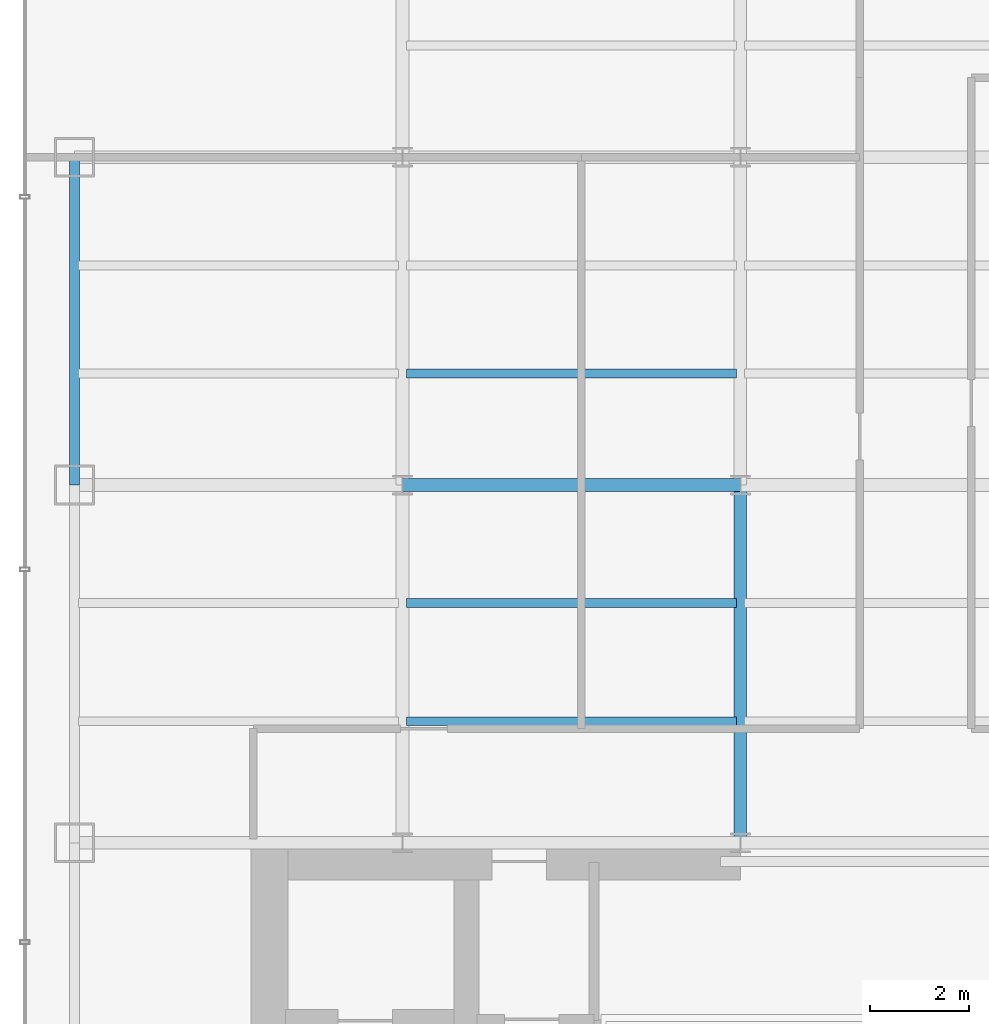
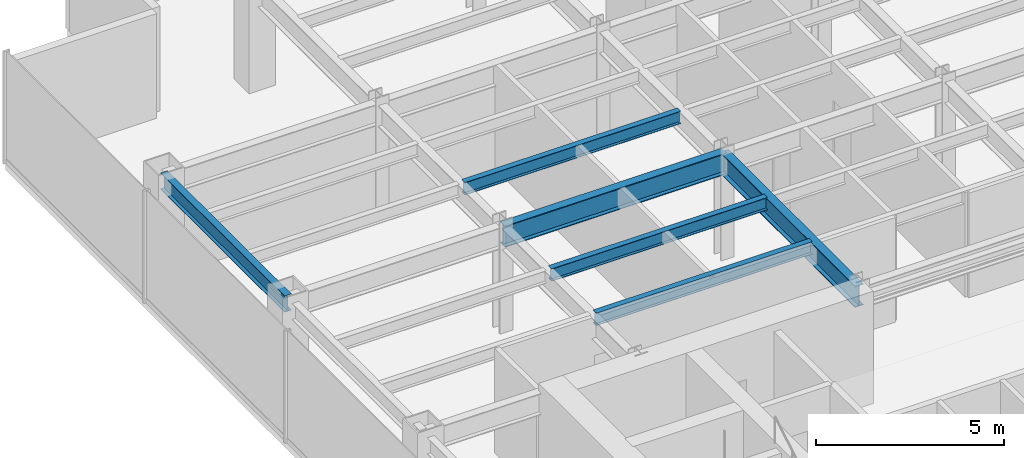
# One storey, part 5 of 26: 6 beams.
"""IFC4 building model written with IfcOpenShell, lengths in metres."""

import ifcopenshell
import ifcopenshell.guid

model = None  # the IFC model being written
_history = None  # IfcOwnerHistory: only IFC2X3 demands one
_inside = {}  # id of a spatial element -> (the spatial element, [elements in it])
_under = {}  # id of a project, library or spatial element -> (it, [spatial elements below it])
_declared = {}  # id of a project -> (the project, [libraries it declares])
_typed = {}  # id of a type object -> (the type object, [elements of that type])
_made_of = {}  # id of a material, layer set ... -> (it, [elements and type objects made of it])


def new_model(schema):
    """Start an empty IFC model of exactly this schema.

    Asked for "IFC4X3", IfcOpenShell would pick the latest addendum, in which some entities
    have other attributes; the version numbers below select the first issue.
    IFC2X3 requires an IfcOwnerHistory on every rooted entity: one is made here for all.
    """
    global model, _history
    if schema == "IFC4X3":
        model = ifcopenshell.file(schema_version=(4, 3, 0, 0))
    else:
        model = ifcopenshell.file(schema=schema)
    _inside.clear()
    _under.clear()
    _declared.clear()
    _typed.clear()
    _made_of.clear()
    _history = None
    if model.schema == "IFC2X3":
        org = make("IfcOrganization", Name="unknown")
        user = make(
            "IfcPersonAndOrganization",
            ThePerson=make("IfcPerson", FamilyName="unknown"),
            TheOrganization=org,
        )
        app = make(
            "IfcApplication",
            ApplicationDeveloper=org,
            Version="unknown",
            ApplicationFullName="unknown",
            ApplicationIdentifier="unknown",
        )
        _history = make(
            "IfcOwnerHistory",
            OwningUser=user,
            OwningApplication=app,
            ChangeAction="ADDED",
            CreationDate=0,
        )
    return model


def make(cls, **values):
    """One entity of the class cls with the attributes given. An attribute that is None is left unset."""
    return model.create_entity(
        cls, **{name: value for name, value in values.items() if value is not None}
    )


def rooted(cls, **values):
    """An entity with a GlobalId (a new one), such as an element, a storey or a relation."""
    return make(cls, GlobalId=ifcopenshell.guid.new(), OwnerHistory=_history, **values)


def si_unit(unit_type, name, prefix=None):
    """IfcSIUnit, for example si_unit("LENGTHUNIT", "METRE", prefix="MILLI")."""
    return make("IfcSIUnit", UnitType=unit_type, Prefix=prefix, Name=name)


def derived_unit(unit_type, elements):
    """IfcDerivedUnit: a product of units, each with its exponent."""
    return make(
        "IfcDerivedUnit",
        Elements=[
            make("IfcDerivedUnitElement", Unit=unit, Exponent=power)
            for unit, power in elements
        ],
        UnitType=unit_type,
    )


def assignment(units):
    """IfcUnitAssignment: the units of a project."""
    return None if units is None else make("IfcUnitAssignment", Units=units)


def point(xyz):
    """IfcCartesianPoint."""
    return None if xyz is None else make("IfcCartesianPoint", Coordinates=xyz)


def direction(xyz):
    """IfcDirection."""
    return None if xyz is None else make("IfcDirection", DirectionRatios=xyz)


def frame(location, z_axis=None, x_axis=None):
    """IfcAxis2Placement3D, a coordinate frame: its origin and axes. An axis left out is left unset."""
    return make(
        "IfcAxis2Placement3D",
        Location=point(location),
        Axis=direction(z_axis),
        RefDirection=direction(x_axis),
    )


def frame_2d(location, x_axis=None):
    """IfcAxis2Placement2D, a coordinate frame in the plane: its origin and x axis."""
    return make(
        "IfcAxis2Placement2D", Location=point(location), RefDirection=direction(x_axis)
    )


def origin():
    """The frame at (0, 0, 0) with its axes left unset."""
    return frame((0.0, 0.0, 0.0))


def origin_2d():
    """The frame at (0, 0) in the plane with its x axis left unset."""
    return frame_2d((0.0, 0.0))


def place(relative_to, where):
    """IfcLocalPlacement: puts the frame where relative to a parent placement (None: the world)."""
    return make(
        "IfcLocalPlacement", PlacementRelTo=relative_to, RelativePlacement=where
    )


def context(
    kind, dimensions, precision=None, world=None, true_north=None, identifier=None
):
    """IfcGeometricRepresentationContext, for example the 3D "Model" context."""
    return make(
        "IfcGeometricRepresentationContext",
        ContextIdentifier=identifier,
        ContextType=kind,
        CoordinateSpaceDimension=dimensions,
        Precision=precision,
        WorldCoordinateSystem=world,
        TrueNorth=true_north,
    )


def subcontext(parent, identifier, kind, view, scale=None):
    """IfcGeometricRepresentationSubContext, for example "Body" below "Model"."""
    return make(
        "IfcGeometricRepresentationSubContext",
        ContextIdentifier=identifier,
        ContextType=kind,
        ParentContext=parent,
        TargetScale=scale,
        TargetView=view,
    )


def project(units=None, contexts=None):
    """IfcProject with its units and contexts."""
    return rooted(
        "IfcProject",
        Name="project",
        RepresentationContexts=contexts,
        UnitsInContext=assignment(units),
    )


def spatial(cls, under=None, at=None, **own):
    """A site, building, storey or space (cls), placed at a placement, below another one or the project."""
    s = rooted(cls, ObjectPlacement=at, **own)
    if under is not None:
        _under.setdefault(under.id(), (under, []))[1].append(s)
    return s


def profile(cls, at=None, kind="AREA", **sizes):
    """A parametric profile (cls). Its sizes go by their IFC names, for example OverallWidth=200.0."""
    return make(cls, ProfileType=kind, Position=at, **sizes)


def i_section(**sizes):
    """IfcIShapeProfileDef."""
    return profile("IfcIShapeProfileDef", **sizes)


def extrude(swept, where, along, depth):
    """IfcExtrudedAreaSolid: the profile swept, set in the frame where, extruded along a direction by depth."""
    return make(
        "IfcExtrudedAreaSolid",
        SweptArea=swept,
        Position=where,
        ExtrudedDirection=direction(along),
        Depth=depth,
    )


def shape(context_of_items, identifier, shape_type, items):
    """IfcShapeRepresentation: the items that make up one representation, for example the "Body"."""
    return make(
        "IfcShapeRepresentation",
        ContextOfItems=context_of_items,
        RepresentationIdentifier=identifier,
        RepresentationType=shape_type,
        Items=items,
    )


def source(mapping_origin, context_of_items, identifier, shape_type, items):
    """IfcRepresentationMap: a shape defined once, which mapped items show again and again."""
    return make(
        "IfcRepresentationMap",
        MappingOrigin=mapping_origin,
        MappedRepresentation=shape(context_of_items, identifier, shape_type, items),
    )


def transform(
    local_origin,
    x_axis=None,
    y_axis=None,
    z_axis=None,
    scale=None,
    scale2=None,
    scale3=None,
    uniform=True,
):
    """IfcCartesianTransformationOperator3D, or its non-uniform kind. x_axis, y_axis, z_axis: its Axis1, 2, 3."""
    if uniform:
        return make(
            "IfcCartesianTransformationOperator3D",
            Axis1=direction(x_axis),
            Axis2=direction(y_axis),
            LocalOrigin=point(local_origin),
            Scale=scale,
            Axis3=direction(z_axis),
        )
    return make(
        "IfcCartesianTransformationOperator3DnonUniform",
        Axis1=direction(x_axis),
        Axis2=direction(y_axis),
        LocalOrigin=point(local_origin),
        Scale=scale,
        Axis3=direction(z_axis),
        Scale2=scale2,
        Scale3=scale3,
    )


def mapped(mapping_source, mapping_target):
    """IfcMappedItem: shows the shape of a source again, moved by a transform."""
    return make(
        "IfcMappedItem", MappingSource=mapping_source, MappingTarget=mapping_target
    )


def material(Name=None, Category=None):
    """IfcMaterial."""
    return make("IfcMaterial", Name=Name, Category=Category)


def material_profile(
    of_material, cross_section, Name=None, Category=None, Priority=None
):
    """IfcMaterialProfile: a cross section and its material."""
    return make(
        "IfcMaterialProfile",
        Name=Name,
        Material=of_material,
        Profile=cross_section,
        Priority=Priority,
        Category=Category,
    )


def profile_set(profiles, Name=None, composite=None):
    """IfcMaterialProfileSet."""
    return make(
        "IfcMaterialProfileSet",
        Name=Name,
        MaterialProfiles=profiles,
        CompositeProfile=composite,
    )


def made_of(thing, what):
    """Note that an element or type object is made of a material, layer set ...; save() writes the relation."""
    if what is not None:
        _made_of.setdefault(what.id(), (what, []))[1].append(thing)
    return thing


def type_object(cls, material=None, **own):
    """A type object (cls), such as IfcWallType, which elements share."""
    return made_of(rooted(cls, **own), material)


def element(
    cls,
    number,
    at=None,
    inside=None,
    cuts=None,
    type_object=None,
    material=None,
    context=None,
    identifier="Body",
    shape_type=None,
    held_by="IfcProductDefinitionShape",
    body=None,
    shapes=None,
    **own,
):
    """One element of the class cls, such as IfcWall. Its Tag is "e" and its number.

    at: its placement. inside: the storey or other place that contains it. cuts: it is an
    opening in that element (IfcRelVoidsElement). A single representation is given by context,
    identifier, shape_type and body (its items); several are given by shapes. held_by: the class
    of the entity that holds the representations. save() writes the other relations.
    """
    e = rooted(cls, Tag="e%d" % number, ObjectPlacement=at, **own)
    if body is not None:
        shapes = [shape(context, identifier, shape_type, body)]
    if shapes is not None:
        e.Representation = make(held_by, Representations=shapes)
    if inside is not None:
        _inside.setdefault(inside.id(), (inside, []))[1].append(e)
    if cuts is not None:
        rooted(
            "IfcRelVoidsElement", RelatingBuildingElement=cuts, RelatedOpeningElement=e
        )
    if type_object is not None:
        _typed.setdefault(type_object.id(), (type_object, []))[1].append(e)
    return made_of(e, material)


def aggregate(whole, parts):
    """IfcRelAggregates: a whole, such as a stair, and the parts it consists of."""
    return rooted("IfcRelAggregates", RelatingObject=whole, RelatedObjects=parts)


def save(model, path):
    """Write the relations noted so far, then the file.

    IfcRelAggregates (storeys below a building ...), IfcRelContainedInSpatialStructure (elements
    in a storey), IfcRelDefinesByType, IfcRelAssociatesMaterial and IfcRelDeclares: one each for
    every whole, place, type object, material and project.
    """
    for whole, parts in _under.values():
        aggregate(whole, parts)
    for where, things in _inside.values():
        rooted(
            "IfcRelContainedInSpatialStructure",
            RelatedElements=things,
            RelatingStructure=where,
        )
    for kind, things in _typed.values():
        rooted("IfcRelDefinesByType", RelatedObjects=things, RelatingType=kind)
    for what, things in _made_of.values():
        rooted("IfcRelAssociatesMaterial", RelatedObjects=things, RelatingMaterial=what)
    for by, libraries in _declared.values():
        rooted("IfcRelDeclares", RelatingContext=by, RelatedDefinitions=libraries)
    model.write(path)


model = new_model("IFC4")

# Units and contexts
model_context = context("Model", 3, precision=1e-05, world=origin(), true_north=direction((0.0, 1.0)))
body_context = subcontext(model_context, "Body", "Model", "MODEL_VIEW")
ifc_project = project(units=[si_unit("LENGTHUNIT", "METRE"), si_unit("AREAUNIT", "SQUARE_METRE"), si_unit("VOLUMEUNIT", "CUBIC_METRE"), si_unit("PLANEANGLEUNIT", "RADIAN"), si_unit("MASSUNIT", "GRAM", prefix="KILO"), derived_unit("THERMALTRANSMITTANCEUNIT", [(si_unit("POWERUNIT", "WATT"), 1), (si_unit("LENGTHUNIT", "METRE"), -2), (si_unit("THERMODYNAMICTEMPERATUREUNIT", "KELVIN"), -1)])], contexts=[model_context])

# Site, building, storey
site_placement = place(None, origin())
site = spatial("IfcSite", under=ifc_project, at=site_placement, CompositionType="ELEMENT")
building_placement = place(site_placement, origin())
building = spatial("IfcBuilding", under=site, at=building_placement, Name="Skarnbrae Concourse Arena and Tower", CompositionType="ELEMENT")
storey_placement = place(building_placement, frame((0.0, 0.0, 128.800048828125)))
storey = spatial("IfcBuildingStorey", under=building, at=storey_placement, Name="L32", CompositionType="ELEMENT", Elevation=128.800048828125)

# Beams
ifc_material = material(Name="Steel CSA G40.21 350W", Category="steel")
ifc_material_profile_1 = material_profile(ifc_material, i_section(OverallWidth=0.256103515625, OverallDepth=0.693115234375, WebThickness=0.014404296875, FlangeThickness=0.023681640625, at=origin_2d()), Name="W690X170")
ifc_profile_set_1 = profile_set([ifc_material_profile_1], Name="Steel CSA G40.21 350W")
beam_type_1 = type_object("IfcBeamType", Name="BM-GIRD-W690X170", PredefinedType="BEAM", material=ifc_profile_set_1)
shared_shape_1 = source(origin(), body_context, "Body", "SweptSolid", [
    extrude(i_section(OverallWidth=0.256103515625, OverallDepth=0.693115234375, WebThickness=0.014404296875, FlangeThickness=0.023681640625, at=origin_2d()), origin(), (0.0, 0.0, 1.0), 6.7998046875),
])
beam_1_placement = place(storey_placement, frame((7.60009765625, 21.199951171875, 3.053466796875), z_axis=(1.0, 0.0, 0.0), x_axis=(0.0, 1.0, 0.0)))
element("IfcBeam", 1, at=beam_1_placement, inside=storey, type_object=beam_type_1, Name="L32 Primary E-W girder Y21.2-2", PredefinedType="BEAM", context=body_context, shape_type="MappedRepresentation", body=[
    mapped(shared_shape_1, transform((0.0, 0.0, 0.0))),
])
ifc_material_profile_2 = material_profile(ifc_material, i_section(OverallWidth=0.208984375, OverallDepth=0.532958984375, WebThickness=0.01025390625, FlangeThickness=0.015625, at=origin_2d()), Name="W530X92")
ifc_profile_set_2 = profile_set([ifc_material_profile_2], Name="Steel CSA G40.21 350W")
beam_type_2 = type_object("IfcBeamType", Name="BM-SPAN-W530X92", PredefinedType="SPANDREL", material=ifc_profile_set_2)
shared_shape_2 = source(origin(), body_context, "Body", "SweptSolid", [
    extrude(i_section(OverallWidth=0.208984375, OverallDepth=0.532958984375, WebThickness=0.01025390625, FlangeThickness=0.015625, at=origin_2d()), origin(), (0.0, 0.0, 1.0), 6.60009765625),
])
beam_2_placement = place(storey_placement, frame((1.0, 21.199951171875, 3.133544921875), z_axis=(0.0, 1.0, 0.0), x_axis=(-1.0, 0.0, 0.0)))
element("IfcBeam", 2, at=beam_2_placement, inside=storey, type_object=beam_type_2, Name="L32 Perimeter spandrel X1.0-3", PredefinedType="SPANDREL", context=body_context, shape_type="MappedRepresentation", body=[
    mapped(shared_shape_2, transform((0.0, 0.0, 0.0))),
])
shared_shape_3 = source(origin(), body_context, "Body", "SweptSolid", [
    extrude(i_section(OverallWidth=0.256103515625, OverallDepth=0.693115234375, WebThickness=0.014404296875, FlangeThickness=0.023681640625, at=origin_2d()), origin(), (0.0, 0.0, 1.0), 7.199951171875),
])
beam_3_placement = place(storey_placement, frame((14.39990234375, 14.0, 3.053466796875), z_axis=(0.0, 1.0, 0.0), x_axis=(-1.0, 0.0, 0.0)))
element("IfcBeam", 3, at=beam_3_placement, inside=storey, type_object=beam_type_1, Name="L32 Primary N-S girder X14.4-1", PredefinedType="BEAM", context=body_context, shape_type="MappedRepresentation", body=[
    mapped(shared_shape_3, transform((0.0, 0.0, 0.0))),
])
ifc_material_profile_3 = material_profile(ifc_material, i_section(OverallWidth=0.177978515625, OverallDepth=0.406982421875, WebThickness=0.0078125, FlangeThickness=0.0126953125, at=origin_2d()), Name="W410X60")
ifc_profile_set_3 = profile_set([ifc_material_profile_3], Name="Steel CSA G40.21 350W")
beam_type_3 = type_object("IfcBeamType", Name="BM-JOIST-W410X60", PredefinedType="JOIST", material=ifc_profile_set_3)
shared_shape_4 = source(origin(), body_context, "Body", "SweptSolid", [
    extrude(i_section(OverallWidth=0.177978515625, OverallDepth=0.406982421875, WebThickness=0.0078125, FlangeThickness=0.0126953125, at=origin_2d()), origin(), (0.0, 0.0, 1.0), 6.64013671875),
])
for number, where, z_axis, x_axis, name in (
    (4, (7.679931640625, 16.447998046875, 3.196533203125), (1.0, 0.0, 0.0), (0.0, 1.0, 0.0), "L32 Secondary floor joist 1.1.2"),
    (5, (7.679931640625, 18.823974609375, 3.196533203125), (1.0, 0.0, 0.0), (0.0, 1.0, 0.0), "L32 Secondary floor joist 1.2.2"),
    (6, (7.679931640625, 23.444091796875, 3.196533203125), (1.0, 0.0, 0.0), (0.0, 1.0, 0.0), "L32 Secondary floor joist 2.1.2"),
):
    element("IfcBeam", number, at=place(storey_placement, frame(where, z_axis=z_axis, x_axis=x_axis)), inside=storey, type_object=beam_type_3, Name=name, PredefinedType="JOIST", context=body_context, shape_type="MappedRepresentation", body=[
        mapped(shared_shape_4, transform((0.0, 0.0, 0.0))),
    ])

save(model, "model.ifc")
